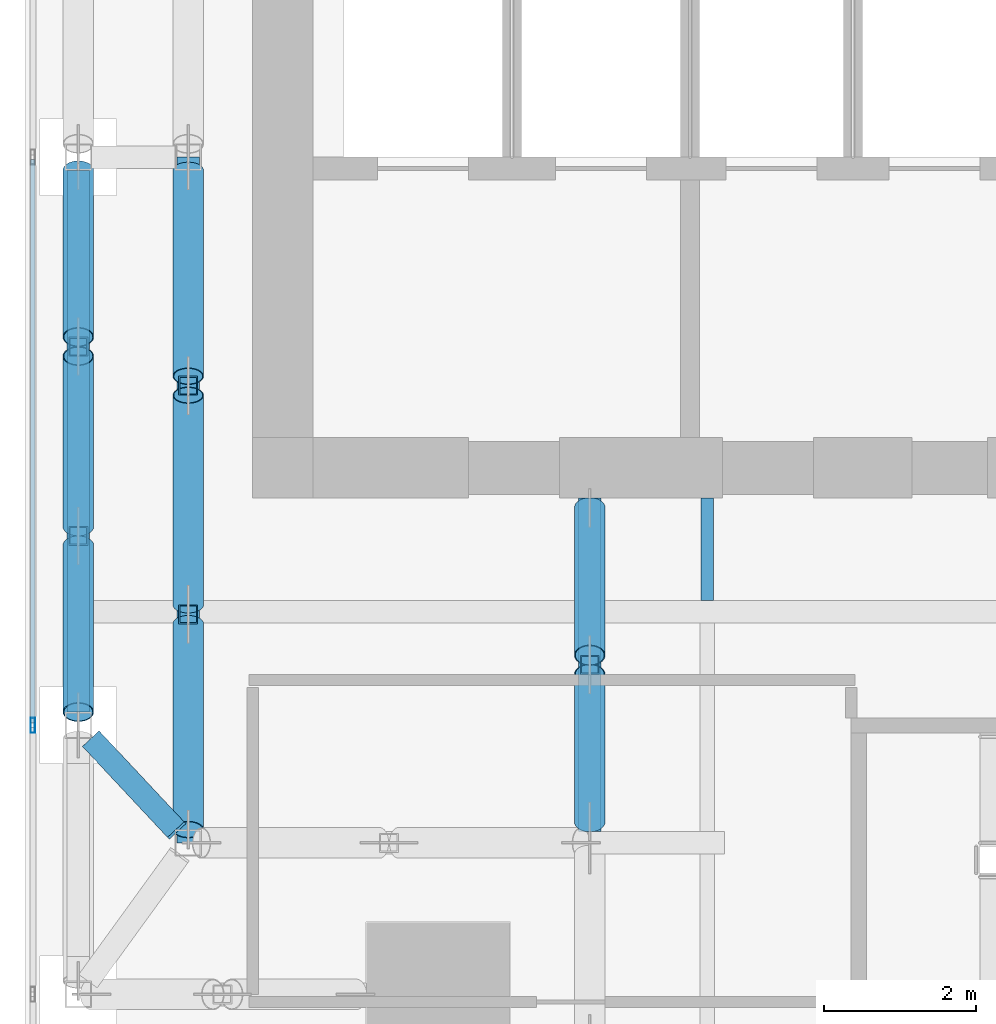
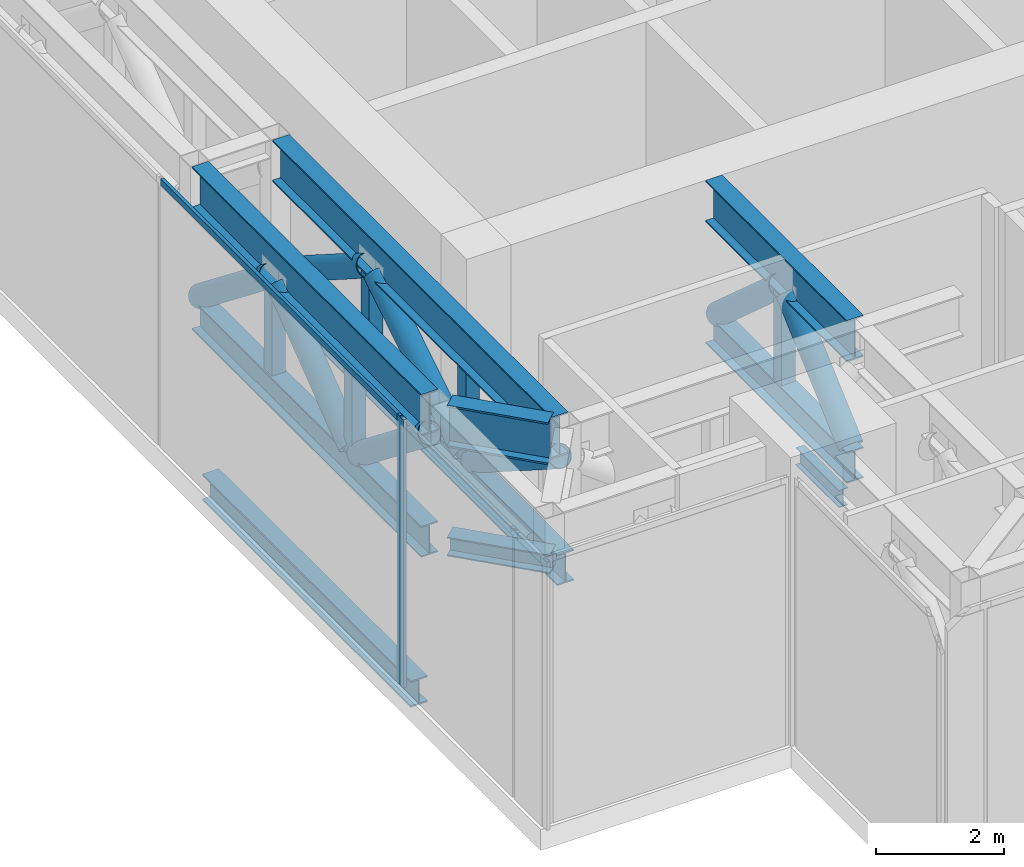
# One storey, part 4 of 36: 21 members, 4 beams, 1 element without a shape of its own.
"""IFC4 building model written with IfcOpenShell, lengths in metres."""

from ifc_helpers import new_model, si_unit, direction, frame, origin, origin_2d, place, context, subcontext, project, spatial, hollow_rectangle, hollow_circle, i_section, extrude, source, transform, mapped, material, material_profile, profile_set, type_object, element, aggregate, save


model = new_model("IFC4")

# Units and contexts
model_context = context("Model", 3, precision=1e-05, world=origin(), true_north=direction((0.0, 1.0)))
body_context = subcontext(model_context, "Body", "Model", "MODEL_VIEW")
ifc_project = project(units=[si_unit("LENGTHUNIT", "METRE"), si_unit("AREAUNIT", "SQUARE_METRE"), si_unit("VOLUMEUNIT", "CUBIC_METRE"), si_unit("PLANEANGLEUNIT", "RADIAN"), si_unit("MASSUNIT", "GRAM", prefix="KILO")], contexts=[model_context])

# Site, building, storey
site_placement = place(None, origin())
site = spatial("IfcSite", under=ifc_project, at=site_placement, CompositionType="ELEMENT")
building_placement = place(site_placement, origin())
building = spatial("IfcBuilding", under=site, at=building_placement, Name="Khomas Fold Tower", CompositionType="ELEMENT")
storey_placement = place(building_placement, frame((0.0, 0.0, 216.699951171875)))
storey = spatial("IfcBuildingStorey", under=building, at=storey_placement, Name="L48", CompositionType="ELEMENT", Elevation=216.699951171875)

# Beams
ifc_material_1 = material(Name="Steel S355", Category="steel")
ifc_material_profile_1 = material_profile(ifc_material_1, i_section(OverallWidth=0.300048828125, OverallDepth=0.5, WebThickness=0.014404296875, FlangeThickness=0.028076171875, at=origin_2d()), Name="HE 500 B")
ifc_profile_set_1 = profile_set([ifc_material_profile_1], Name="Steel S355")
beam_type_1 = type_object("IfcBeamType", Name="HE 500 B spandrel SB3", PredefinedType="SPANDREL", material=ifc_profile_set_1)
shared_shape_1 = source(origin(), body_context, "Body", "SweptSolid", [
    extrude(i_section(OverallWidth=0.300048828125, OverallDepth=0.5, WebThickness=0.014404296875, FlangeThickness=0.028076171875, at=origin_2d()), origin(), (0.0, 0.0, 1.0), 6.5),
])
beam_1_placement = place(storey_placement, frame((3.699951171875, 12.5, -0.64990234375), z_axis=(0.0, 1.0, 0.0), x_axis=(-1.0, 0.0, 0.0)))
element("IfcBeam", 1, at=beam_1_placement, inside=storey, type_object=beam_type_1, Name="SB3", PredefinedType="SPANDREL", context=body_context, shape_type="MappedRepresentation", body=[
    mapped(shared_shape_1, transform((0.0, 0.0, 0.0))),
])
ifc_material_2 = material(Name="Steel S355", Category="steel")
ifc_material_profile_2 = material_profile(ifc_material_2, i_section(OverallWidth=0.159912109375, OverallDepth=0.330078125, WebThickness=0.007568359375, FlangeThickness=0.011474609375, at=origin_2d()), Name="IPE 330")
ifc_profile_set_2 = profile_set([ifc_material_profile_2], Name="Steel S355")
beam_type_2 = type_object("IfcBeamType", Name="IPE 330 beam JB1", PredefinedType="BEAM", material=ifc_profile_set_2)
shared_shape_2 = source(origin(), body_context, "Body", "SweptSolid", [
    extrude(i_section(OverallWidth=0.159912109375, OverallDepth=0.330078125, WebThickness=0.007568359375, FlangeThickness=0.011474609375, at=origin_2d()), origin(), (0.0, 0.0, 1.0), 1.35009765625),
])
beam_2_placement = place(storey_placement, frame((12.0, 13.64990234375, -0.56494140625), z_axis=(0.0, 1.0, 0.0), x_axis=(-1.0, 0.0, 0.0)))
element("IfcBeam", 2, at=beam_2_placement, inside=storey, type_object=beam_type_2, Name="JB1", PredefinedType="BEAM", context=body_context, shape_type="MappedRepresentation", body=[
    mapped(shared_shape_2, transform((0.0, 0.0, 0.0))),
])

# Members
ifc_material_3 = material(Name="Steel S355", Category="steel")
ifc_material_profile_3 = material_profile(ifc_material_3, i_section(OverallWidth=0.300048828125, OverallDepth=0.7900390625, WebThickness=0.014892578125, FlangeThickness=0.028076171875, at=origin_2d()), Name="HE 800 A")
ifc_profile_set_3 = profile_set([ifc_material_profile_3], Name="Steel S355")
member_type_1 = type_object("IfcMemberType", Name="BELT TRUSS 3 TOP CHORD HE 800 A", PredefinedType="CHORD", material=ifc_profile_set_3)
shared_shape_3 = source(origin(), body_context, "Body", "SweptSolid", [
    extrude(i_section(OverallWidth=0.300048828125, OverallDepth=0.7900390625, WebThickness=0.014892578125, FlangeThickness=0.028076171875, at=origin_2d()), origin(), (0.0, 0.0, 1.0), 7.14990234375),
])
member_1_placement = place(storey_placement, frame((3.699951171875, 19.324951171875, 4.85498046875), z_axis=(0.0, -1.0, 0.0), x_axis=(1.0, 0.0, 0.0)))
element("IfcMember", 3, at=member_1_placement, inside=storey, type_object=member_type_1, Name="BT3-CT", PredefinedType="CHORD", context=body_context, shape_type="MappedRepresentation", body=[
    mapped(shared_shape_3, transform((0.0, 0.0, 0.0))),
])
ifc_material_4 = material(Name="Steel S355", Category="steel")
ifc_material_profile_4 = material_profile(ifc_material_4, i_section(OverallWidth=0.300048828125, OverallDepth=0.590087890625, WebThickness=0.012939453125, FlangeThickness=0.02490234375, at=origin_2d()), Name="HE 600 A")
ifc_profile_set_4 = profile_set([ifc_material_profile_4], Name="Steel S355")
member_type_2 = type_object("IfcMemberType", Name="BELT TRUSS 3 BOTTOM CHORD HE 600 A", PredefinedType="CHORD", material=ifc_profile_set_4)
shared_shape_4 = source(origin(), body_context, "Body", "SweptSolid", [
    extrude(i_section(OverallWidth=0.300048828125, OverallDepth=0.590087890625, WebThickness=0.012939453125, FlangeThickness=0.02490234375, at=origin_2d()), origin(), (0.0, 0.0, 1.0), 7.14990234375),
])
member_2_placement = place(storey_placement, frame((3.699951171875, 19.324951171875, 2.445068359375), z_axis=(0.0, -1.0, 0.0), x_axis=(1.0, 0.0, 0.0)))
element("IfcMember", 4, at=member_2_placement, inside=storey, type_object=member_type_2, Name="BT3-CB", PredefinedType="CHORD", context=body_context, shape_type="MappedRepresentation", body=[
    mapped(shared_shape_4, transform((0.0, 0.0, 0.0))),
])
ifc_material_5 = material(Name="Steel S355", Category="steel")
ifc_material_profile_5 = material_profile(ifc_material_5, hollow_circle(Radius=0.203125, WallThickness=0.012451171875, at=origin_2d()), Name="CHS 406.4x12.5")
ifc_profile_set_5 = profile_set([ifc_material_profile_5], Name="Steel S355")
member_type_3 = type_object("IfcMemberType", Name="BELT TRUSS 3 DIAGONAL CHS 406.4x12.5", PredefinedType="BRACE", material=ifc_profile_set_5)
shared_shape_5 = source(origin(), body_context, "Body", "SweptSolid", [
    extrude(hollow_circle(Radius=0.203125, WallThickness=0.012451171875, at=origin_2d()), origin(), (0.0, 0.0, 1.0), 2.798583984375),
])
for number, where, z_axis, x_axis, name in (
    (5, (3.699951171875, 19.324951171875, 2.735107421875), (0.0, -0.786067028411, 0.618141267709), (1.0, 0.0, 0.0), "BT3-D"),
    (6, (3.699951171875, 14.375, 2.735107421875), (0.0, -0.786067028411, 0.618141267709), (1.0, 0.0, 0.0), "BT3-D"),
):
    element("IfcMember", number, at=place(storey_placement, frame(where, z_axis=z_axis, x_axis=x_axis)), inside=storey, type_object=member_type_3, Name=name, PredefinedType="BRACE", context=body_context, shape_type="MappedRepresentation", body=[
        mapped(shared_shape_5, transform((0.0, 0.0, 0.0))),
    ])
shared_shape_6 = source(origin(), body_context, "Body", "SweptSolid", [
    extrude(hollow_circle(Radius=0.203125, WallThickness=0.012451171875, at=origin_2d()), origin(), (0.0, 0.0, 1.0), 2.838134765625),
])
member_3_placement = place(storey_placement, frame((3.699951171875, 16.875, 4.465087890625), z_axis=(0.0, -0.792758275848, -0.609536148292), x_axis=(1.0, 0.0, 0.0)))
element("IfcMember", 7, at=member_3_placement, inside=storey, type_object=member_type_3, Name="BT3-D", PredefinedType="BRACE", context=body_context, shape_type="MappedRepresentation", body=[
    mapped(shared_shape_6, transform((0.0, 0.0, 0.0))),
])
ifc_material_6 = material(Name="Steel S355", Category="steel")
ifc_material_profile_6 = material_profile(ifc_material_6, hollow_rectangle(XDim=0.25, YDim=0.25, WallThickness=0.01611328125, at=origin_2d()), Name="SHS 250x250x16")
ifc_profile_set_6 = profile_set([ifc_material_profile_6], Name="Steel S355")
member_type_4 = type_object("IfcMemberType", Name="BELT TRUSS 3 MID POST SHS 250x250x16", PredefinedType="POST", material=ifc_profile_set_6)
shared_shape_7 = source(origin(), body_context, "Body", "SweptSolid", [
    extrude(hollow_rectangle(XDim=0.25, YDim=0.25, WallThickness=0.01611328125, at=origin_2d()), origin(), (0.0, 0.0, 1.0), 1.719970703125),
])
for number, where, z_axis, x_axis, name in (
    (8, (3.699951171875, 17.0, 2.739990234375), (0.0, 0.0, 1.0), (1.0, 0.0, 0.0), "BT3-M"),
    (9, (3.699951171875, 14.5, 2.739990234375), (0.0, 0.0, 1.0), (1.0, 0.0, 0.0), "BT3-M"),
    (10, (5.14990234375, 16.4833984375, 2.739990234375), (0.0, 0.0, 1.0), (1.0, 0.0, 0.0), "BT3-M"),
    (11, (5.14990234375, 13.466552734375, 2.739990234375), (0.0, 0.0, 1.0), (1.0, 0.0, 0.0), "BT3-M"),
    (12, (10.449951171875, 12.800048828125, 2.739990234375), (0.0, 0.0, 1.0), (1.0, 0.0, 0.0), "BT3-M"),
):
    element("IfcMember", number, at=place(storey_placement, frame(where, z_axis=z_axis, x_axis=x_axis)), inside=storey, type_object=member_type_4, Name=name, PredefinedType="POST", context=body_context, shape_type="MappedRepresentation", body=[
        mapped(shared_shape_7, transform((0.0, 0.0, 0.0))),
    ])
ifc_material_7 = material(Name="Steel S355", Category="steel")
ifc_material_profile_7 = material_profile(ifc_material_7, i_section(OverallWidth=0.300048828125, OverallDepth=0.7900390625, WebThickness=0.014892578125, FlangeThickness=0.028076171875, at=origin_2d()), Name="HE 800 A")
ifc_profile_set_7 = profile_set([ifc_material_profile_7], Name="Steel S355")
member_type_5 = type_object("IfcMemberType", Name="BELT TRUSS 3 TOP CHORD LONG HE 800 A", PredefinedType="CHORD", material=ifc_profile_set_7)
shared_shape_8 = source(origin(), body_context, "Body", "SweptSolid", [
    extrude(i_section(OverallWidth=0.300048828125, OverallDepth=0.7900390625, WebThickness=0.014892578125, FlangeThickness=0.028076171875, at=origin_2d()), origin(), (0.0, 0.0, 1.0), 8.699951171875),
])
member_4_placement = place(storey_placement, frame((5.14990234375, 19.324951171875, 4.85498046875), z_axis=(0.0, -1.0, 0.0), x_axis=(1.0, 0.0, 0.0)))
element("IfcMember", 13, at=member_4_placement, inside=storey, type_object=member_type_5, Name="BT3-CTL", PredefinedType="CHORD", context=body_context, shape_type="MappedRepresentation", body=[
    mapped(shared_shape_8, transform((0.0, 0.0, 0.0))),
])
shared_shape_9 = source(origin(), body_context, "Body", "SweptSolid", [
    extrude(hollow_circle(Radius=0.203125, WallThickness=0.012451171875, at=origin_2d()), origin(), (0.0, 0.0, 1.0), 3.220703125),
])
for number, where, z_axis, x_axis, name in (
    (14, (5.14990234375, 19.324951171875, 2.735107421875), (0.0, -0.843483522339, 0.537155049815), (1.0, 0.0, 0.0), "BT3-D"),
    (15, (5.14990234375, 13.341552734375, 2.735107421875), (0.0, -0.843483522339, 0.537155049815), (1.0, 0.0, 0.0), "BT3-D"),
):
    element("IfcMember", number, at=place(storey_placement, frame(where, z_axis=z_axis, x_axis=x_axis)), inside=storey, type_object=member_type_3, Name=name, PredefinedType="BRACE", context=body_context, shape_type="MappedRepresentation", body=[
        mapped(shared_shape_9, transform((0.0, 0.0, 0.0))),
    ])
shared_shape_10 = source(origin(), body_context, "Body", "SweptSolid", [
    extrude(hollow_circle(Radius=0.203125, WallThickness=0.012451171875, at=origin_2d()), origin(), (0.0, 0.0, 1.0), 3.26318359375),
])
member_5_placement = place(storey_placement, frame((5.14990234375, 16.3583984375, 4.465087890625), z_axis=(0.0, -0.847901616183, -0.53015360913), x_axis=(1.0, 0.0, 0.0)))
element("IfcMember", 16, at=member_5_placement, inside=storey, type_object=member_type_3, Name="BT3-D", PredefinedType="BRACE", context=body_context, shape_type="MappedRepresentation", body=[
    mapped(shared_shape_10, transform((0.0, 0.0, 0.0))),
])
ifc_material_8 = material(Name="Steel S355", Category="steel")
ifc_material_profile_8 = material_profile(ifc_material_8, i_section(OverallWidth=0.300048828125, OverallDepth=0.590087890625, WebThickness=0.012939453125, FlangeThickness=0.02490234375, at=origin_2d()), Name="HE 600 A")
ifc_profile_set_8 = profile_set([ifc_material_profile_8], Name="Steel S355")
member_type_6 = type_object("IfcMemberType", Name="BELT TRUSS 3 BOTTOM CHORD LONG HE 600 A", PredefinedType="CHORD", material=ifc_profile_set_8)
shared_shape_11 = source(origin(), body_context, "Body", "SweptSolid", [
    extrude(i_section(OverallWidth=0.300048828125, OverallDepth=0.590087890625, WebThickness=0.012939453125, FlangeThickness=0.02490234375, at=origin_2d()), origin(), (0.0, 0.0, 1.0), 9.050048828125),
])
member_6_placement = place(storey_placement, frame((5.14990234375, 19.5, 2.445068359375), z_axis=(0.0, -1.0, 0.0), x_axis=(1.0, 0.0, 0.0)))
element("IfcMember", 17, at=member_6_placement, inside=storey, type_object=member_type_6, Name="BT3-CBL", PredefinedType="CHORD", context=body_context, shape_type="MappedRepresentation", body=[
    mapped(shared_shape_11, transform((0.0, 0.0, 0.0))),
])
ifc_material_9 = material(Name="Steel S355", Category="steel")
ifc_material_profile_9 = material_profile(ifc_material_9, i_section(OverallWidth=0.300048828125, OverallDepth=0.7900390625, WebThickness=0.014892578125, FlangeThickness=0.028076171875, at=origin_2d()), Name="HE 800 A")
ifc_profile_set_9 = profile_set([ifc_material_profile_9], Name="Steel S355")
member_type_7 = type_object("IfcMemberType", Name="BELT TRUSS 3 TOP CHORD SHORT HE 800 A", PredefinedType="CHORD", material=ifc_profile_set_9)
shared_shape_12 = source(origin(), body_context, "Body", "SweptSolid", [
    extrude(i_section(OverallWidth=0.300048828125, OverallDepth=0.7900390625, WebThickness=0.014892578125, FlangeThickness=0.028076171875, at=origin_2d()), origin(), (0.0, 0.0, 1.0), 4.39990234375),
])
member_7_placement = place(storey_placement, frame((10.449951171875, 10.60009765625, 4.85498046875), z_axis=(0.0, 1.0, 0.0), x_axis=(-1.0, 0.0, 0.0)))
element("IfcMember", 18, at=member_7_placement, inside=storey, type_object=member_type_7, Name="BT3-CTS", PredefinedType="CHORD", context=body_context, shape_type="MappedRepresentation", body=[
    mapped(shared_shape_12, transform((0.0, 0.0, 0.0))),
])
ifc_material_10 = material(Name="Steel S355", Category="steel")
ifc_material_profile_10 = material_profile(ifc_material_10, i_section(OverallWidth=0.300048828125, OverallDepth=0.590087890625, WebThickness=0.012939453125, FlangeThickness=0.02490234375, at=origin_2d()), Name="HE 600 A")
ifc_profile_set_10 = profile_set([ifc_material_profile_10], Name="Steel S355")
member_type_8 = type_object("IfcMemberType", Name="BELT TRUSS 3 BOTTOM CHORD SHORT HE 600 A", PredefinedType="CHORD", material=ifc_profile_set_10)
shared_shape_13 = source(origin(), body_context, "Body", "SweptSolid", [
    extrude(i_section(OverallWidth=0.300048828125, OverallDepth=0.590087890625, WebThickness=0.012939453125, FlangeThickness=0.02490234375, at=origin_2d()), origin(), (0.0, 0.0, 1.0), 4.39990234375),
])
member_8_placement = place(storey_placement, frame((10.449951171875, 10.60009765625, 2.445068359375), z_axis=(0.0, 1.0, 0.0), x_axis=(-1.0, 0.0, 0.0)))
element("IfcMember", 19, at=member_8_placement, inside=storey, type_object=member_type_8, Name="BT3-CBS", PredefinedType="CHORD", context=body_context, shape_type="MappedRepresentation", body=[
    mapped(shared_shape_13, transform((0.0, 0.0, 0.0))),
])
shared_shape_14 = source(origin(), body_context, "Body", "SweptSolid", [
    extrude(hollow_circle(Radius=0.203125, WallThickness=0.012451171875, at=origin_2d()), origin(), (0.0, 0.0, 1.0), 2.603271484375),
])
for number, where, z_axis, x_axis, name in (
    (20, (10.449951171875, 10.729736328125, 2.735107421875), (0.0, 0.747254073091, 0.664538449037), (-1.0, 0.0, 0.0), "BT3-D"),
    (21, (10.449951171875, 12.925048828125, 4.465087890625), (0.0, 0.747254073091, -0.664538449037), (-1.0, 0.0, 0.0), "BT3-D"),
):
    element("IfcMember", number, at=place(storey_placement, frame(where, z_axis=z_axis, x_axis=x_axis)), inside=storey, type_object=member_type_3, Name=name, PredefinedType="BRACE", context=body_context, shape_type="MappedRepresentation", body=[
        mapped(shared_shape_14, transform((0.0, 0.0, 0.0))),
    ])

# Beams
ifc_material_11 = material(Name="Steel S460M", Category="steel")
ifc_material_profile_11 = material_profile(ifc_material_11, i_section(OverallWidth=0.300048828125, OverallDepth=0.800048828125, WebThickness=0.017578125, FlangeThickness=0.032958984375, at=origin_2d()), Name="HE 800 B")
ifc_profile_set_11 = profile_set([ifc_material_profile_11], Name="Steel S460M")
beam_type_3 = type_object("IfcBeamType", Name="BELT TRUSS 3 TOP TRANSFER STRUT HE 800 B", PredefinedType="BEAM", material=ifc_profile_set_11)
shared_shape_15 = source(origin(), body_context, "Body", "SweptSolid", [
    extrude(i_section(OverallWidth=0.300048828125, OverallDepth=0.800048828125, WebThickness=0.017578125, FlangeThickness=0.032958984375, at=origin_2d()), origin(), (0.0, 0.0, 1.0), 1.64306640625),
])
beam_3_placement = place(storey_placement, frame((4.986328125, 10.625, 4.85009765625), z_axis=(-0.683164796783, 0.730264240146, 0.0), x_axis=(-0.730264240146, -0.683164796783, 0.0)))
element("IfcBeam", 22, at=beam_3_placement, inside=storey, type_object=beam_type_3, Name="BT3-STD", PredefinedType="BEAM", context=body_context, shape_type="MappedRepresentation", body=[
    mapped(shared_shape_15, transform((0.0, 0.0, 0.0))),
])
ifc_material_12 = material(Name="Steel S355", Category="steel")
ifc_material_profile_12 = material_profile(ifc_material_12, i_section(OverallWidth=0.300048828125, OverallDepth=0.360107421875, WebThickness=0.012451171875, FlangeThickness=0.0224609375, at=origin_2d()), Name="HE 360 B")
ifc_profile_set_12 = profile_set([ifc_material_profile_12], Name="Steel S355")
beam_type_4 = type_object("IfcBeamType", Name="BELT TRUSS 3 BOTTOM STRUT HE 360 B", PredefinedType="BEAM", material=ifc_profile_set_12)
shared_shape_16 = source(origin(), body_context, "Body", "SweptSolid", [
    extrude(i_section(OverallWidth=0.300048828125, OverallDepth=0.360107421875, WebThickness=0.012451171875, FlangeThickness=0.0224609375, at=origin_2d()), origin(), (0.0, 0.0, 1.0), 1.677490234375),
])
beam_4_placement = place(storey_placement, frame((5.009765625, 10.60009765625, 2.56005859375), z_axis=(-0.68320970901, 0.730222222008, 0.0), x_axis=(-0.730222222008, -0.68320970901, 0.0)))
element("IfcBeam", 23, at=beam_4_placement, inside=storey, type_object=beam_type_4, Name="BT3-SB", PredefinedType="BEAM", context=body_context, shape_type="MappedRepresentation", body=[
    mapped(shared_shape_16, transform((0.0, 0.0, 0.0))),
])

# Curtain wall, members
ifc_material_13 = material(Name="Aluminium framed double glazing", Category="aluminium")
curtain_wall_type = type_object("IfcCurtainWallType", Name="SK-Plant louvre wall CW4", PredefinedType="NOTDEFINED", material=ifc_material_13)
curtain_wall_placement = place(storey_placement, origin())
curtain_wall = element("IfcCurtainWall", 24, at=curtain_wall_placement, inside=storey, type_object=curtain_wall_type, Name="CW4 run L48 09-0", PredefinedType="NOTDEFINED")
ifc_material_14 = material(Name="Aluminium", Category="aluminium")
ifc_material_profile_13 = material_profile(ifc_material_14, hollow_rectangle(XDim=0.06005859375, YDim=0.199951171875, WallThickness=0.00390625, at=origin_2d()), Name="SK-Plant louvre wall mullion CW4-M")
ifc_profile_set_13 = profile_set([ifc_material_profile_13], Name="Aluminium")
member_type_9 = type_object("IfcMemberType", Name="SK-Plant louvre wall mullion CW4-M", PredefinedType="MULLION", material=ifc_profile_set_13)
shared_shape_17 = source(origin(), body_context, "Body", "SweptSolid", [
    extrude(hollow_rectangle(XDim=0.06005859375, YDim=0.199951171875, WallThickness=0.00390625, at=origin_2d()), origin(), (0.0, 0.0, 1.0), 5.10009765625),
])
member_9_placement = place(storey_placement, frame((3.10009765625, 12.0, 0.0), z_axis=(0.0, 0.0, 1.0), x_axis=(1.0, 0.0, 0.0)))
member_9 = element("IfcMember", 25, at=member_9_placement, type_object=member_type_9, Name="CW4 mullion 7", PredefinedType="MULLION", context=body_context, shape_type="MappedRepresentation", body=[
    mapped(shared_shape_17, transform((0.0, 0.0, 0.0))),
])
ifc_material_15 = material(Name="Aluminium", Category="aluminium")
ifc_material_profile_14 = material_profile(ifc_material_15, hollow_rectangle(XDim=0.06005859375, YDim=0.1201171875, WallThickness=0.00390625, at=origin_2d()), Name="SK-Plant louvre wall transom CW4-T")
ifc_profile_set_14 = profile_set([ifc_material_profile_14], Name="Aluminium")
member_type_10 = type_object("IfcMemberType", Name="SK-Plant louvre wall transom CW4-T", PredefinedType="USERDEFINED", material=ifc_profile_set_14)
shared_shape_18 = source(origin(), body_context, "Body", "SweptSolid", [
    extrude(hollow_rectangle(XDim=0.06005859375, YDim=0.1201171875, WallThickness=0.00390625, at=origin_2d()), origin(), (0.0, 0.0, 1.0), 7.43994140625),
])
member_10_placement = place(storey_placement, frame((3.10009765625, 19.469970703125, 5.0400390625), z_axis=(0.0, -1.0, 0.0), x_axis=(1.0, 0.0, 0.0)))
member_10 = element("IfcMember", 26, at=member_10_placement, type_object=member_type_10, Name="CW4 transom 6", ObjectType="TRANSOM", PredefinedType="USERDEFINED", context=body_context, shape_type="MappedRepresentation", body=[
    mapped(shared_shape_18, transform((0.0, 0.0, 0.0))),
])
aggregate(curtain_wall, [member_9, member_10])

save(model, "model.ifc")
